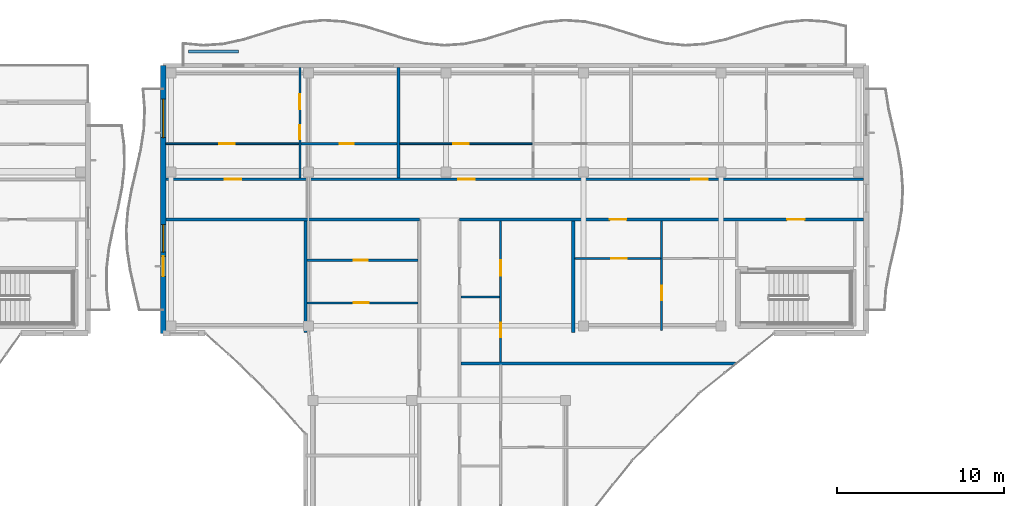
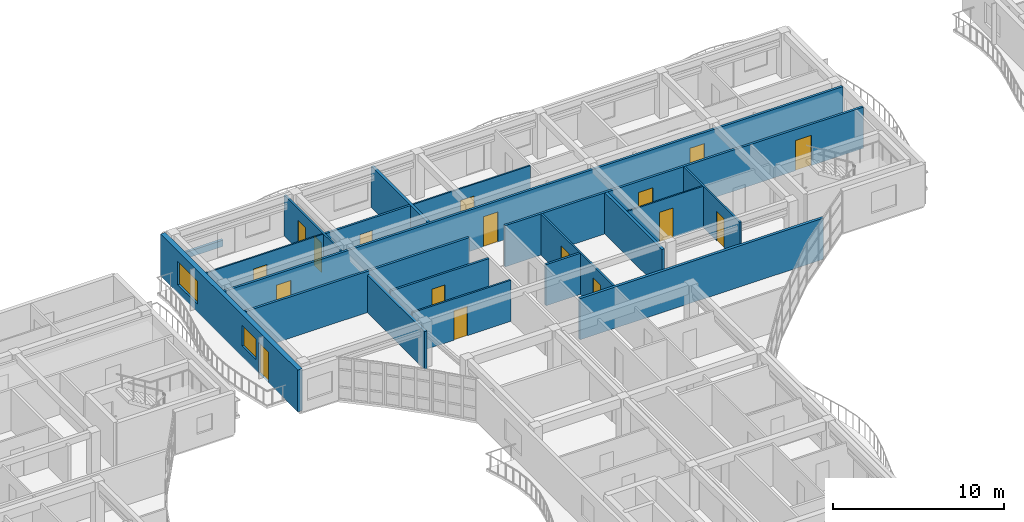
# One storey, part 35 of 71: 19 walls, 17 doors, 2 windows, 19 openings.
"""IFC4 building model written with IfcOpenShell, lengths in metres."""

import ifcopenshell
import ifcopenshell.guid

model = None  # the IFC model being written
_history = None  # IfcOwnerHistory: only IFC2X3 demands one
_inside = {}  # id of a spatial element -> (the spatial element, [elements in it])
_under = {}  # id of a project, library or spatial element -> (it, [spatial elements below it])
_declared = {}  # id of a project -> (the project, [libraries it declares])
_typed = {}  # id of a type object -> (the type object, [elements of that type])
_made_of = {}  # id of a material, layer set ... -> (it, [elements and type objects made of it])


def new_model(schema):
    """Start an empty IFC model of exactly this schema.

    Asked for "IFC4X3", IfcOpenShell would pick the latest addendum, in which some entities
    have other attributes; the version numbers below select the first issue.
    IFC2X3 requires an IfcOwnerHistory on every rooted entity: one is made here for all.
    """
    global model, _history
    if schema == "IFC4X3":
        model = ifcopenshell.file(schema_version=(4, 3, 0, 0))
    else:
        model = ifcopenshell.file(schema=schema)
    _inside.clear()
    _under.clear()
    _declared.clear()
    _typed.clear()
    _made_of.clear()
    _history = None
    if model.schema == "IFC2X3":
        org = make("IfcOrganization", Name="unknown")
        user = make(
            "IfcPersonAndOrganization",
            ThePerson=make("IfcPerson", FamilyName="unknown"),
            TheOrganization=org,
        )
        app = make(
            "IfcApplication",
            ApplicationDeveloper=org,
            Version="unknown",
            ApplicationFullName="unknown",
            ApplicationIdentifier="unknown",
        )
        _history = make(
            "IfcOwnerHistory",
            OwningUser=user,
            OwningApplication=app,
            ChangeAction="ADDED",
            CreationDate=0,
        )
    return model


def make(cls, **values):
    """One entity of the class cls with the attributes given. An attribute that is None is left unset."""
    return model.create_entity(
        cls, **{name: value for name, value in values.items() if value is not None}
    )


def rooted(cls, **values):
    """An entity with a GlobalId (a new one), such as an element, a storey or a relation."""
    return make(cls, GlobalId=ifcopenshell.guid.new(), OwnerHistory=_history, **values)


def si_unit(unit_type, name, prefix=None):
    """IfcSIUnit, for example si_unit("LENGTHUNIT", "METRE", prefix="MILLI")."""
    return make("IfcSIUnit", UnitType=unit_type, Prefix=prefix, Name=name)


def assignment(units):
    """IfcUnitAssignment: the units of a project."""
    return None if units is None else make("IfcUnitAssignment", Units=units)


def point(xyz):
    """IfcCartesianPoint."""
    return None if xyz is None else make("IfcCartesianPoint", Coordinates=xyz)


def direction(xyz):
    """IfcDirection."""
    return None if xyz is None else make("IfcDirection", DirectionRatios=xyz)


def frame(location, z_axis=None, x_axis=None):
    """IfcAxis2Placement3D, a coordinate frame: its origin and axes. An axis left out is left unset."""
    return make(
        "IfcAxis2Placement3D",
        Location=point(location),
        Axis=direction(z_axis),
        RefDirection=direction(x_axis),
    )


def frame_2d(location, x_axis=None):
    """IfcAxis2Placement2D, a coordinate frame in the plane: its origin and x axis."""
    return make(
        "IfcAxis2Placement2D", Location=point(location), RefDirection=direction(x_axis)
    )


def origin():
    """The frame at (0, 0, 0) with its axes left unset."""
    return frame((0.0, 0.0, 0.0))


def place(relative_to, where):
    """IfcLocalPlacement: puts the frame where relative to a parent placement (None: the world)."""
    return make(
        "IfcLocalPlacement", PlacementRelTo=relative_to, RelativePlacement=where
    )


def context(
    kind, dimensions, precision=None, world=None, true_north=None, identifier=None
):
    """IfcGeometricRepresentationContext, for example the 3D "Model" context."""
    return make(
        "IfcGeometricRepresentationContext",
        ContextIdentifier=identifier,
        ContextType=kind,
        CoordinateSpaceDimension=dimensions,
        Precision=precision,
        WorldCoordinateSystem=world,
        TrueNorth=true_north,
    )


def subcontext(parent, identifier, kind, view, scale=None):
    """IfcGeometricRepresentationSubContext, for example "Body" below "Model"."""
    return make(
        "IfcGeometricRepresentationSubContext",
        ContextIdentifier=identifier,
        ContextType=kind,
        ParentContext=parent,
        TargetScale=scale,
        TargetView=view,
    )


def project(units=None, contexts=None):
    """IfcProject with its units and contexts."""
    return rooted(
        "IfcProject",
        Name="project",
        RepresentationContexts=contexts,
        UnitsInContext=assignment(units),
    )


def spatial(cls, under=None, at=None, **own):
    """A site, building, storey or space (cls), placed at a placement, below another one or the project."""
    s = rooted(cls, ObjectPlacement=at, **own)
    if under is not None:
        _under.setdefault(under.id(), (under, []))[1].append(s)
    return s


def profile(cls, at=None, kind="AREA", **sizes):
    """A parametric profile (cls). Its sizes go by their IFC names, for example OverallWidth=200.0."""
    return make(cls, ProfileType=kind, Position=at, **sizes)


def rectangle(**sizes):
    """IfcRectangleProfileDef."""
    return profile("IfcRectangleProfileDef", **sizes)


def extrude(swept, where, along, depth):
    """IfcExtrudedAreaSolid: the profile swept, set in the frame where, extruded along a direction by depth."""
    return make(
        "IfcExtrudedAreaSolid",
        SweptArea=swept,
        Position=where,
        ExtrudedDirection=direction(along),
        Depth=depth,
    )


def shape(context_of_items, identifier, shape_type, items):
    """IfcShapeRepresentation: the items that make up one representation, for example the "Body"."""
    return make(
        "IfcShapeRepresentation",
        ContextOfItems=context_of_items,
        RepresentationIdentifier=identifier,
        RepresentationType=shape_type,
        Items=items,
    )


def material(Name=None, Category=None):
    """IfcMaterial."""
    return make("IfcMaterial", Name=Name, Category=Category)


def layer(
    of_material, thickness, ventilated=None, Name=None, Category=None, Priority=None
):
    """IfcMaterialLayer: one layer of a wall or slab, of a material (None: an air gap)."""
    return make(
        "IfcMaterialLayer",
        Material=of_material,
        LayerThickness=thickness,
        IsVentilated=ventilated,
        Name=Name,
        Category=Category,
        Priority=Priority,
    )


def layer_set(layers, Name=None):
    """IfcMaterialLayerSet."""
    return make("IfcMaterialLayerSet", MaterialLayers=layers, LayerSetName=Name)


def made_of(thing, what):
    """Note that an element or type object is made of a material, layer set ...; save() writes the relation."""
    if what is not None:
        _made_of.setdefault(what.id(), (what, []))[1].append(thing)
    return thing


def type_object(cls, material=None, **own):
    """A type object (cls), such as IfcWallType, which elements share."""
    return made_of(rooted(cls, **own), material)


def element(
    cls,
    number,
    at=None,
    inside=None,
    cuts=None,
    type_object=None,
    material=None,
    context=None,
    identifier="Body",
    shape_type=None,
    held_by="IfcProductDefinitionShape",
    body=None,
    shapes=None,
    **own,
):
    """One element of the class cls, such as IfcWall. Its Tag is "e" and its number.

    at: its placement. inside: the storey or other place that contains it. cuts: it is an
    opening in that element (IfcRelVoidsElement). A single representation is given by context,
    identifier, shape_type and body (its items); several are given by shapes. held_by: the class
    of the entity that holds the representations. save() writes the other relations.
    """
    e = rooted(cls, Tag="e%d" % number, ObjectPlacement=at, **own)
    if body is not None:
        shapes = [shape(context, identifier, shape_type, body)]
    if shapes is not None:
        e.Representation = make(held_by, Representations=shapes)
    if inside is not None:
        _inside.setdefault(inside.id(), (inside, []))[1].append(e)
    if cuts is not None:
        rooted(
            "IfcRelVoidsElement", RelatingBuildingElement=cuts, RelatedOpeningElement=e
        )
    if type_object is not None:
        _typed.setdefault(type_object.id(), (type_object, []))[1].append(e)
    return made_of(e, material)


def fill(opening, filler):
    """IfcRelFillsElement: the door or window that sits in an opening."""
    return rooted(
        "IfcRelFillsElement",
        RelatingOpeningElement=opening,
        RelatedBuildingElement=filler,
    )


def aggregate(whole, parts):
    """IfcRelAggregates: a whole, such as a stair, and the parts it consists of."""
    return rooted("IfcRelAggregates", RelatingObject=whole, RelatedObjects=parts)


def save(model, path):
    """Write the relations noted so far, then the file.

    IfcRelAggregates (storeys below a building ...), IfcRelContainedInSpatialStructure (elements
    in a storey), IfcRelDefinesByType, IfcRelAssociatesMaterial and IfcRelDeclares: one each for
    every whole, place, type object, material and project.
    """
    for whole, parts in _under.values():
        aggregate(whole, parts)
    for where, things in _inside.values():
        rooted(
            "IfcRelContainedInSpatialStructure",
            RelatedElements=things,
            RelatingStructure=where,
        )
    for kind, things in _typed.values():
        rooted("IfcRelDefinesByType", RelatedObjects=things, RelatingType=kind)
    for what, things in _made_of.values():
        rooted("IfcRelAssociatesMaterial", RelatedObjects=things, RelatingMaterial=what)
    for by, libraries in _declared.values():
        rooted("IfcRelDeclares", RelatingContext=by, RelatedDefinitions=libraries)
    model.write(path)


model = new_model("IFC4")

# Units and contexts
model_context = context("Model", 3, precision=1e-05, world=origin(), true_north=direction((0.0, 1.0)))
body_context = subcontext(model_context, "Body", "Model", "MODEL_VIEW")
ifc_project = project(units=[si_unit("LENGTHUNIT", "METRE"), si_unit("AREAUNIT", "SQUARE_METRE"), si_unit("VOLUMEUNIT", "CUBIC_METRE"), si_unit("PLANEANGLEUNIT", "RADIAN"), si_unit("MASSUNIT", "GRAM", prefix="KILO")], contexts=[model_context])

# Site, building, storey
site_placement = place(None, origin())
site = spatial("IfcSite", under=ifc_project, at=site_placement, CompositionType="ELEMENT")
building_placement = place(site_placement, origin())
building = spatial("IfcBuilding", under=site, at=building_placement, Name="Keldmere Railside Commons", CompositionType="ELEMENT")
storey_placement = place(building_placement, frame((0.0, 0.0, 20.159912109375)))
storey = spatial("IfcBuildingStorey", under=building, at=storey_placement, Name="L06", CompositionType="ELEMENT", Elevation=20.159912109375)

# Walls
ifc_material_1 = material(Name="Acoustic Gypsum Board Partition", Category="gypsum")
ifc_layer_1 = layer(ifc_material_1, 0.179931640625, Name="Acoustic Demising Partition 180")
ifc_layer_set_1 = layer_set([ifc_layer_1], Name="Acoustic Gypsum Board Partition")
wall_type_1 = type_object("IfcWallType", Name="Acoustic Demising Partition 180", PredefinedType="PARTITIONING", material=ifc_layer_set_1)
wall_1_placement = place(storey_placement, frame((64.0, 100.050048828125, 0.0), z_axis=(0.0, 0.0, 1.0), x_axis=(0.0, 1.0, 0.0)))
element("IfcWall", 1, at=wall_1_placement, inside=storey, type_object=wall_type_1, Name="IW-1 IW-L06-0730", PredefinedType="PARTITIONING", context=body_context, shape_type="SweptSolid", body=[
    extrude(rectangle(XDim=6.669921875, YDim=0.179931640625, at=frame_2d((3.3349609375, 0.0))), origin(), (0.0, 0.0, 1.0), 2.93505859375),
])
wall_2_placement = place(storey_placement, frame((48.0, 100.050048828125, 0.0), z_axis=(0.0, 0.0, 1.0), x_axis=(0.0, 1.0, 0.0)))
element("IfcWall", 2, at=wall_2_placement, inside=storey, type_object=wall_type_1, Name="IW-1 IW-L06-0731", PredefinedType="PARTITIONING", context=body_context, shape_type="SweptSolid", body=[
    extrude(rectangle(XDim=6.669921875, YDim=0.179931640625, at=frame_2d((3.3349609375, 0.0))), origin(), (0.0, 0.0, 1.0), 2.68017578125),
])
wall_3_placement = place(storey_placement, frame((57.280029296875, 98.199951171875, 0.0), z_axis=(0.0, 0.0, 1.0), x_axis=(1.0, 0.0, 0.0)))
element("IfcWall", 3, at=wall_3_placement, inside=storey, type_object=wall_type_1, Name="IW-1 IW-L06-0736", PredefinedType="PARTITIONING", context=body_context, shape_type="SweptSolid", body=[
    extrude(rectangle(XDim=16.412353515625, YDim=0.179931640625, at=frame_2d((8.2060546875, 0.0))), origin(), (0.0, 0.0, 1.0), 2.93505859375),
])
wall_4_placement = place(storey_placement, frame((53.550048828125, 109.280029296875, 0.0), z_axis=(0.0, 0.0, 1.0), x_axis=(0.0, 1.0, 0.0)))
element("IfcWall", 4, at=wall_4_placement, inside=storey, type_object=wall_type_1, Name="IW-1 IW-L06-0750", PredefinedType="PARTITIONING", context=body_context, shape_type="SweptSolid", body=[
    extrude(rectangle(XDim=6.599853515625, YDim=0.179931640625, at=frame_2d((3.2998046875, 0.0))), origin(), (0.0, 0.0, 1.0), 2.93505859375),
])

# Wall, openings, doors
ifc_layer_2 = layer(ifc_material_1, 0.1201171875, Name="Apartment Interior Partition 120")
ifc_layer_set_2 = layer_set([ifc_layer_2], Name="Acoustic Gypsum Board Partition")
wall_type_2 = type_object("IfcWallType", Name="Apartment Interior Partition 120", PredefinedType="PARTITIONING", material=ifc_layer_set_2)
wall_5_placement = place(storey_placement, frame((59.659912109375, 98.2900390625, 0.0), z_axis=(0.0, 0.0, 1.0), x_axis=(0.0, 1.0, 0.0)))
wall_5 = element("IfcWall", 5, at=wall_5_placement, inside=storey, type_object=wall_type_2, Name="IW-4 IW-L06-0748", PredefinedType="PARTITIONING", context=body_context, shape_type="SweptSolid", body=[
    extrude(rectangle(XDim=8.429931640625, YDim=0.1201171875, at=frame_2d((4.21484375, 0.0))), origin(), (0.0, 0.0, 1.0), 2.93505859375),
])
opening_1_placement = place(wall_5_placement, frame((1.474365234375, 0.0, 0.0)))
opening_1 = element("IfcOpeningElement", 6, at=opening_1_placement, cuts=wall_5, Name="Opening ID-04", PredefinedType="OPENING", context=body_context, shape_type="SweptSolid", body=[
    extrude(rectangle(XDim=0.860107421875, YDim=2.10009765625, at=frame_2d((0.43017578125, 1.050048828125))), frame((0.0, 0.070068359375, 0.0), z_axis=(0.0, -1.0, 0.0), x_axis=(1.0, 0.0, 0.0)), (0.0, 0.0, 1.0), 0.14013671875),
])
opening_2_placement = place(wall_5_placement, frame((5.154052734375, 0.0, 0.0)))
opening_2 = element("IfcOpeningElement", 7, at=opening_2_placement, cuts=wall_5, Name="Opening ID-03", PredefinedType="OPENING", context=body_context, shape_type="SweptSolid", body=[
    extrude(rectangle(XDim=0.919921875, YDim=2.10009765625, at=frame_2d((0.4599609375, 1.050048828125))), frame((0.0, 0.070068359375, 0.0), z_axis=(0.0, -1.0, 0.0), x_axis=(1.0, 0.0, 0.0)), (0.0, 0.0, 1.0), 0.14013671875),
])
ifc_material_2 = material(Name="Engineered Oak Timber", Category="wood")
door_type_1 = type_object("IfcDoorType", Name="Apartment Bathroom Door 860x2100", OperationType="NOTDEFINED", PredefinedType="DOOR", material=ifc_material_2)
door_1_placement = place(opening_1_placement, origin())
door_1 = element("IfcDoor", 8, at=door_1_placement, inside=storey, type_object=door_type_1, Name="ID-04 IDR-L06-0631", OperationType="SINGLE_SWING_LEFT", OverallHeight=2.10009765625, OverallWidth=0.860107421875, PredefinedType="DOOR", context=body_context, shape_type="SweptSolid", body=[
    extrude(rectangle(XDim=0.860107421875, YDim=2.10009765625, at=frame_2d((0.43017578125, 1.050048828125))), frame((0.0, 0.02490234375, 0.0), z_axis=(0.0, -1.0, 0.0), x_axis=(1.0, 0.0, 0.0)), (0.0, 0.0, 1.0), 0.050048828125),
])
fill(opening_1, door_1)
door_type_2 = type_object("IfcDoorType", Name="Kitchen Pocket-Frame Swing Door 920x2100", OperationType="NOTDEFINED", PredefinedType="DOOR", material=ifc_material_2)
door_2_placement = place(opening_2_placement, origin())
door_2 = element("IfcDoor", 9, at=door_2_placement, inside=storey, type_object=door_type_2, Name="ID-03 IDR-L06-0632", OperationType="SINGLE_SWING_RIGHT", OverallHeight=2.10009765625, OverallWidth=0.919921875, PredefinedType="DOOR", context=body_context, shape_type="SweptSolid", body=[
    extrude(rectangle(XDim=0.919921875, YDim=2.10009765625, at=frame_2d((0.4599609375, 1.050048828125))), frame((0.0, 0.02490234375, 0.0), z_axis=(0.0, -1.0, 0.0), x_axis=(1.0, 0.0, 0.0)), (0.0, 0.0, 1.0), 0.050048828125),
])
fill(opening_2, door_2)

wall_6_placement = place(storey_placement, frame((47.659912109375, 109.280029296875, 0.0), z_axis=(0.0, 0.0, 1.0), x_axis=(0.0, 1.0, 0.0)))
wall_6 = element("IfcWall", 10, at=wall_6_placement, inside=storey, type_object=wall_type_2, Name="IW-4 IW-L06-0752", PredefinedType="PARTITIONING", context=body_context, shape_type="SweptSolid", body=[
    extrude(rectangle(XDim=6.599853515625, YDim=0.1201171875, at=frame_2d((3.2998046875, 0.0))), origin(), (0.0, 0.0, 1.0), 2.93505859375),
])
opening_3_placement = place(wall_6_placement, frame((2.305908203125, 0.0, 0.0)))
opening_3 = element("IfcOpeningElement", 11, at=opening_3_placement, cuts=wall_6, Name="Opening ID-04", PredefinedType="OPENING", context=body_context, shape_type="SweptSolid", body=[
    extrude(rectangle(XDim=0.860107421875, YDim=2.10009765625, at=frame_2d((0.43017578125, 1.050048828125))), frame((0.0, 0.070068359375, 0.0), z_axis=(0.0, -1.0, 0.0), x_axis=(1.0, 0.0, 0.0)), (0.0, 0.0, 1.0), 0.14013671875),
])
opening_4_placement = place(wall_6_placement, frame((4.097412109375, 0.0, 0.0)))
opening_4 = element("IfcOpeningElement", 12, at=opening_4_placement, cuts=wall_6, Name="Opening ID-01", PredefinedType="OPENING", context=body_context, shape_type="SweptSolid", body=[
    extrude(rectangle(XDim=0.89990234375, YDim=2.10009765625, at=frame_2d((0.449951171875, 1.050048828125))), frame((0.0, 0.070068359375, 0.0), z_axis=(0.0, -1.0, 0.0), x_axis=(1.0, 0.0, 0.0)), (0.0, 0.0, 1.0), 0.14013671875),
])
door_3_placement = place(opening_3_placement, origin())
door_3 = element("IfcDoor", 13, at=door_3_placement, inside=storey, type_object=door_type_1, Name="ID-04 IDR-L06-0636", OperationType="SINGLE_SWING_RIGHT", OverallHeight=2.10009765625, OverallWidth=0.860107421875, PredefinedType="DOOR", context=body_context, shape_type="SweptSolid", body=[
    extrude(rectangle(XDim=0.860107421875, YDim=2.10009765625, at=frame_2d((0.43017578125, 1.050048828125))), frame((0.0, 0.02490234375, 0.0), z_axis=(0.0, -1.0, 0.0), x_axis=(1.0, 0.0, 0.0)), (0.0, 0.0, 1.0), 0.050048828125),
])
fill(opening_3, door_3)
door_type_3 = type_object("IfcDoorType", Name="Primary Bedroom Door 900x2100", OperationType="NOTDEFINED", PredefinedType="DOOR", material=ifc_material_2)
door_4_placement = place(opening_4_placement, origin())
door_4 = element("IfcDoor", 14, at=door_4_placement, inside=storey, type_object=door_type_3, Name="ID-01 IDR-L06-0637", OperationType="SINGLE_SWING_LEFT", OverallHeight=2.10009765625, OverallWidth=0.89990234375, PredefinedType="DOOR", context=body_context, shape_type="SweptSolid", body=[
    extrude(rectangle(XDim=0.89990234375, YDim=2.10009765625, at=frame_2d((0.449951171875, 1.050048828125))), frame((0.0, 0.02490234375, 0.0), z_axis=(0.0, -1.0, 0.0), x_axis=(1.0, 0.0, 0.0)), (0.0, 0.0, 1.0), 0.050048828125),
])
fill(opening_4, door_4)

# Wall, opening, door
wall_7_placement = place(storey_placement, frame((69.280029296875, 100.159912109375, 0.0), z_axis=(0.0, 0.0, 1.0), x_axis=(0.0, 1.0, 0.0)))
wall_7 = element("IfcWall", 15, at=wall_7_placement, inside=storey, type_object=wall_type_2, Name="IW-4 IW-L06-0761", PredefinedType="PARTITIONING", context=body_context, shape_type="SweptSolid", body=[
    extrude(rectangle(XDim=6.56005859375, YDim=0.1201171875, at=frame_2d((3.280029296875, 0.0))), origin(), (0.0, 0.0, 1.0), 2.93505859375),
])
opening_5_placement = place(wall_7_placement, frame((1.810302734375, 0.0, 0.0)))
opening_5 = element("IfcOpeningElement", 16, at=opening_5_placement, cuts=wall_7, Name="Opening ID-02", PredefinedType="OPENING", context=body_context, shape_type="SweptSolid", body=[
    extrude(rectangle(XDim=0.8798828125, YDim=2.10009765625, at=frame_2d((0.43994140625, 1.050048828125))), frame((0.0, 0.070068359375, 0.0), z_axis=(0.0, -1.0, 0.0), x_axis=(1.0, 0.0, 0.0)), (0.0, 0.0, 1.0), 0.14013671875),
])
door_type_4 = type_object("IfcDoorType", Name="Secondary Bedroom Door 880x2100", OperationType="NOTDEFINED", PredefinedType="DOOR", material=ifc_material_2)
door_5_placement = place(opening_5_placement, origin())
door_5 = element("IfcDoor", 17, at=door_5_placement, inside=storey, type_object=door_type_4, Name="ID-02 IDR-L06-0651", OperationType="SINGLE_SWING_LEFT", OverallHeight=2.10009765625, OverallWidth=0.8798828125, PredefinedType="DOOR", context=body_context, shape_type="SweptSolid", body=[
    extrude(rectangle(XDim=0.8798828125, YDim=2.10009765625, at=frame_2d((0.43994140625, 1.050048828125))), frame((0.0, 0.02490234375, 0.0), z_axis=(0.0, -1.0, 0.0), x_axis=(1.0, 0.0, 0.0)), (0.0, 0.0, 1.0), 0.050048828125),
])
fill(opening_5, door_5)

wall_8_placement = place(storey_placement, frame((48.090087890625, 101.820068359375, 0.0), z_axis=(0.0, 0.0, 1.0), x_axis=(1.0, 0.0, 0.0)))
wall_8 = element("IfcWall", 18, at=wall_8_placement, inside=storey, type_object=wall_type_2, Name="IW-4 IW-L06-0767", PredefinedType="PARTITIONING", context=body_context, shape_type="SweptSolid", body=[
    extrude(rectangle(XDim=6.6298828125, YDim=0.1201171875, at=frame_2d((3.31494140625, 0.0))), origin(), (0.0, 0.0, 1.0), 2.93505859375),
])
opening_6_placement = place(wall_8_placement, frame((2.78466796875, 0.0, 0.0)))
opening_6 = element("IfcOpeningElement", 19, at=opening_6_placement, cuts=wall_8, Name="Opening ID-03", PredefinedType="OPENING", context=body_context, shape_type="SweptSolid", body=[
    extrude(rectangle(XDim=0.919921875, YDim=2.10009765625, at=frame_2d((0.4599609375, 1.050048828125))), frame((0.0, 0.070068359375, 0.0), z_axis=(0.0, -1.0, 0.0), x_axis=(1.0, 0.0, 0.0)), (0.0, 0.0, 1.0), 0.14013671875),
])
door_6_placement = place(opening_6_placement, origin())
door_6 = element("IfcDoor", 20, at=door_6_placement, inside=storey, type_object=door_type_2, Name="ID-03 IDR-L06-0658", OperationType="SINGLE_SWING_RIGHT", OverallHeight=2.10009765625, OverallWidth=0.919921875, PredefinedType="DOOR", context=body_context, shape_type="SweptSolid", body=[
    extrude(rectangle(XDim=0.919921875, YDim=2.10009765625, at=frame_2d((0.4599609375, 1.050048828125))), frame((0.0, 0.02490234375, 0.0), z_axis=(0.0, -1.0, 0.0), x_axis=(1.0, 0.0, 0.0)), (0.0, 0.0, 1.0), 0.050048828125),
])
fill(opening_6, door_6)

# Wall
ifc_material_3 = material(Name="White Precast Concrete H-35 (C35/45)", Category="concrete")
ifc_layer_3 = layer(ifc_material_3, 0.169921875, Name="Balcony Planter Kerb Wall 170")
ifc_layer_set_3 = layer_set([ifc_layer_3], Name="White Precast Concrete H-35 (C35/45)")
wall_type_3 = type_object("IfcWallType", Name="Balcony Planter Kerb Wall 170", PredefinedType="PARAPET", material=ifc_layer_set_3)
wall_9_placement = place(storey_placement, frame((41.0, 116.85009765625, 0.0), z_axis=(0.0, 0.0, 1.0), x_axis=(1.0, 0.0, 0.0)))
element("IfcWall", 21, at=wall_9_placement, inside=storey, type_object=wall_type_3, Name="PW-2 PKBC-L06-0379", PredefinedType="PARAPET", context=body_context, shape_type="SweptSolid", body=[
    extrude(rectangle(XDim=3.0, YDim=0.169921875, at=frame_2d((1.5, 0.0))), origin(), (0.0, 0.0, 1.0), 0.4501953125),
])

# Wall, opening, door
ifc_layer_4 = layer(ifc_material_1, 0.10009765625, Name="Closet Light Partition 100")
ifc_layer_set_4 = layer_set([ifc_layer_4], Name="Acoustic Gypsum Board Partition")
wall_type_4 = type_object("IfcWallType", Name="Closet Light Partition 100", PredefinedType="PARTITIONING", material=ifc_layer_set_4)
wall_10_placement = place(storey_placement, frame((39.659912109375, 111.330078125, 0.0), z_axis=(0.0, 0.0, 1.0), x_axis=(1.0, 0.0, 0.0)))
wall_10 = element("IfcWall", 22, at=wall_10_placement, inside=storey, type_object=wall_type_4, Name="IW-6 IW-L06-0754", PredefinedType="PARTITIONING", context=body_context, shape_type="SweptSolid", body=[
    extrude(rectangle(XDim=7.940185546875, YDim=0.10009765625, at=frame_2d((3.97021484375, 0.0))), origin(), (0.0, 0.0, 1.0), 2.93505859375),
])
opening_7_placement = place(wall_10_placement, frame((3.199951171875, 0.0, 0.0)))
opening_7 = element("IfcOpeningElement", 23, at=opening_7_placement, cuts=wall_10, Name="Opening ID-03", PredefinedType="OPENING", context=body_context, shape_type="SweptSolid", body=[
    extrude(rectangle(XDim=0.919921875, YDim=2.10009765625, at=frame_2d((0.4599609375, 1.050048828125))), frame((0.0, 0.06005859375, 0.0), z_axis=(0.0, -1.0, 0.0), x_axis=(1.0, 0.0, 0.0)), (0.0, 0.0, 1.0), 0.1201171875),
])
door_7_placement = place(opening_7_placement, origin())
door_7 = element("IfcDoor", 24, at=door_7_placement, inside=storey, type_object=door_type_2, Name="ID-03 IDR-L06-0635", OperationType="SINGLE_SWING_LEFT", OverallHeight=2.10009765625, OverallWidth=0.919921875, PredefinedType="DOOR", context=body_context, shape_type="SweptSolid", body=[
    extrude(rectangle(XDim=0.919921875, YDim=2.10009765625, at=frame_2d((0.4599609375, 1.050048828125))), frame((0.0, 0.02490234375, 0.0), z_axis=(0.0, -1.0, 0.0), x_axis=(1.0, 0.0, 0.0)), (0.0, 0.0, 1.0), 0.050048828125),
])
fill(opening_7, door_7)

wall_11_placement = place(storey_placement, frame((53.639892578125, 111.330078125, 0.0), z_axis=(0.0, 0.0, 1.0), x_axis=(1.0, 0.0, 0.0)))
wall_11 = element("IfcWall", 25, at=wall_11_placement, inside=storey, type_object=wall_type_4, Name="IW-6 IW-L06-0757", PredefinedType="PARTITIONING", context=body_context, shape_type="SweptSolid", body=[
    extrude(rectangle(XDim=7.900146484375, YDim=0.10009765625, at=frame_2d((3.9501953125, 0.0))), origin(), (0.0, 0.0, 1.0), 2.93505859375),
])
opening_8_placement = place(wall_11_placement, frame((3.18408203125, 0.0, 0.0)))
opening_8 = element("IfcOpeningElement", 26, at=opening_8_placement, cuts=wall_11, Name="Opening ID-03", PredefinedType="OPENING", context=body_context, shape_type="SweptSolid", body=[
    extrude(rectangle(XDim=0.919921875, YDim=2.10009765625, at=frame_2d((0.4599609375, 1.050048828125))), frame((0.0, 0.06005859375, 0.0), z_axis=(0.0, -1.0, 0.0), x_axis=(1.0, 0.0, 0.0)), (0.0, 0.0, 1.0), 0.1201171875),
])
door_8_placement = place(opening_8_placement, origin())
door_8 = element("IfcDoor", 27, at=door_8_placement, inside=storey, type_object=door_type_2, Name="ID-03 IDR-L06-0640", OperationType="SINGLE_SWING_RIGHT", OverallHeight=2.10009765625, OverallWidth=0.919921875, PredefinedType="DOOR", context=body_context, shape_type="SweptSolid", body=[
    extrude(rectangle(XDim=0.919921875, YDim=2.10009765625, at=frame_2d((0.4599609375, 1.050048828125))), frame((0.0, 0.02490234375, 0.0), z_axis=(0.0, -1.0, 0.0), x_axis=(1.0, 0.0, 0.0)), (0.0, 0.0, 1.0), 0.050048828125),
])
fill(opening_8, door_8)

wall_12_placement = place(storey_placement, frame((64.090087890625, 104.469970703125, 0.0), z_axis=(0.0, 0.0, 1.0), x_axis=(1.0, 0.0, 0.0)))
wall_12 = element("IfcWall", 28, at=wall_12_placement, inside=storey, type_object=wall_type_4, Name="IW-6 IW-L06-0763", PredefinedType="PARTITIONING", context=body_context, shape_type="SweptSolid", body=[
    extrude(rectangle(XDim=5.1298828125, YDim=0.10009765625, at=frame_2d((2.56494140625, 0.0))), origin(), (0.0, 0.0, 1.0), 2.93505859375),
])
opening_9_placement = place(wall_12_placement, frame((2.1796875, 0.0, 0.0)))
opening_9 = element("IfcOpeningElement", 29, at=opening_9_placement, cuts=wall_12, Name="Opening ID-03", PredefinedType="OPENING", context=body_context, shape_type="SweptSolid", body=[
    extrude(rectangle(XDim=0.919921875, YDim=2.10009765625, at=frame_2d((0.4599609375, 1.050048828125))), frame((0.0, 0.06005859375, 0.0), z_axis=(0.0, -1.0, 0.0), x_axis=(1.0, 0.0, 0.0)), (0.0, 0.0, 1.0), 0.1201171875),
])
door_9_placement = place(opening_9_placement, origin())
door_9 = element("IfcDoor", 30, at=door_9_placement, inside=storey, type_object=door_type_2, Name="ID-03 IDR-L06-0650", OperationType="SINGLE_SWING_RIGHT", OverallHeight=2.10009765625, OverallWidth=0.919921875, PredefinedType="DOOR", context=body_context, shape_type="SweptSolid", body=[
    extrude(rectangle(XDim=0.919921875, YDim=2.10009765625, at=frame_2d((0.4599609375, 1.050048828125))), frame((0.0, 0.02490234375, 0.0), z_axis=(0.0, -1.0, 0.0), x_axis=(1.0, 0.0, 0.0)), (0.0, 0.0, 1.0), 0.050048828125),
])
fill(opening_9, door_9)

# Wall
ifc_layer_5 = layer(ifc_material_1, 0.159912109375, Name="Corridor Fire Partition 160")
ifc_layer_set_5 = layer_set([ifc_layer_5], Name="Acoustic Gypsum Board Partition")
wall_type_5 = type_object("IfcWallType", Name="Corridor Fire Partition 160", PredefinedType="PARTITIONING", material=ifc_layer_set_5)
wall_13_placement = place(storey_placement, frame((39.659912109375, 106.800048828125, 0.0), z_axis=(0.0, 0.0, 1.0), x_axis=(1.0, 0.0, 0.0)))
element("IfcWall", 31, at=wall_13_placement, inside=storey, type_object=wall_type_5, Name="IW-2 IW-L06-0727", PredefinedType="PARTITIONING", context=body_context, shape_type="SweptSolid", body=[
    extrude(rectangle(XDim=15.14013671875, YDim=0.159912109375, at=frame_2d((7.570068359375, 0.0))), origin(), (0.0, 0.0, 1.0), 2.93505859375),
])

# Wall, openings, doors
wall_14_placement = place(storey_placement, frame((57.199951171875, 106.800048828125, 0.0), z_axis=(0.0, 0.0, 1.0), x_axis=(1.0, 0.0, 0.0)))
wall_14 = element("IfcWall", 32, at=wall_14_placement, inside=storey, type_object=wall_type_5, Name="IW-2 IW-L06-0728", PredefinedType="PARTITIONING", context=body_context, shape_type="SweptSolid", body=[
    extrude(rectangle(XDim=24.14013671875, YDim=0.159912109375, at=frame_2d((12.070068359375, 0.0))), origin(), (0.0, 0.0, 1.0), 2.93505859375),
])
opening_10_placement = place(wall_14_placement, frame((19.574951171875, 0.0, 0.0)))
opening_10 = element("IfcOpeningElement", 33, at=opening_10_placement, cuts=wall_14, Name="Opening FD-1", PredefinedType="OPENING", context=body_context, shape_type="SweptSolid", body=[
    extrude(rectangle(XDim=1.050048828125, YDim=2.14990234375, at=frame_2d((0.52490234375, 1.074951171875))), frame((0.0, 0.08984375, 0.0), z_axis=(0.0, -1.0, 0.0), x_axis=(1.0, 0.0, 0.0)), (0.0, 0.0, 1.0), 0.179931640625),
])
opening_11_placement = place(wall_14_placement, frame((8.9951171875, 0.0, 0.0)))
opening_11 = element("IfcOpeningElement", 34, at=opening_11_placement, cuts=wall_14, Name="Opening FD-7", PredefinedType="OPENING", context=body_context, shape_type="SweptSolid", body=[
    extrude(rectangle(XDim=0.97998046875, YDim=2.14990234375, at=frame_2d((0.489990234375, 1.074951171875))), frame((0.0, 0.08984375, 0.0), z_axis=(0.0, -1.0, 0.0), x_axis=(1.0, 0.0, 0.0)), (0.0, 0.0, 1.0), 0.179931640625),
])
door_type_5 = type_object("IfcDoorType", Name="Apartment Entrance Acoustic Fire Door 980x2150", OperationType="NOTDEFINED", PredefinedType="DOOR", material=ifc_material_2)
door_10_placement = place(opening_11_placement, origin())
door_10 = element("IfcDoor", 35, at=door_10_placement, inside=storey, type_object=door_type_5, Name="FD-7 IDR-L06-0649", OperationType="SINGLE_SWING_LEFT", OverallHeight=2.14990234375, OverallWidth=0.97998046875, PredefinedType="DOOR", context=body_context, shape_type="SweptSolid", body=[
    extrude(rectangle(XDim=0.97998046875, YDim=2.14990234375, at=frame_2d((0.489990234375, 1.074951171875))), frame((0.0, 0.02490234375, 0.0), z_axis=(0.0, -1.0, 0.0), x_axis=(1.0, 0.0, 0.0)), (0.0, 0.0, 1.0), 0.050048828125),
])
fill(opening_11, door_10)
ifc_material_4 = material(Name="Steel F-24 (S235)", Category="steel")
door_type_6 = type_object("IfcDoorType", Name="Stair Core Fire Door 1050x2150", OperationType="NOTDEFINED", PredefinedType="DOOR", material=ifc_material_4)
door_11_placement = place(opening_10_placement, origin())
door_11 = element("IfcDoor", 36, at=door_11_placement, inside=storey, type_object=door_type_6, Name="FD-1 IDR-L06-0614", OperationType="SINGLE_SWING_RIGHT", OverallHeight=2.14990234375, OverallWidth=1.050048828125, PredefinedType="DOOR", context=body_context, shape_type="SweptSolid", body=[
    extrude(rectangle(XDim=1.050048828125, YDim=2.14990234375, at=frame_2d((0.52490234375, 1.074951171875))), frame((0.0, 0.02490234375, 0.0), z_axis=(0.0, -1.0, 0.0), x_axis=(1.0, 0.0, 0.0)), (0.0, 0.0, 1.0), 0.050048828125),
])
fill(opening_10, door_11)

wall_15_placement = place(storey_placement, frame((39.659912109375, 109.199951171875, 0.0), z_axis=(0.0, 0.0, 1.0), x_axis=(1.0, 0.0, 0.0)))
wall_15 = element("IfcWall", 37, at=wall_15_placement, inside=storey, type_object=wall_type_5, Name="IW-2 IW-L06-0729", PredefinedType="PARTITIONING", context=body_context, shape_type="SweptSolid", body=[
    extrude(rectangle(XDim=41.68017578125, YDim=0.159912109375, at=frame_2d((20.840087890625, 0.0))), origin(), (0.0, 0.0, 1.0), 2.93505859375),
])
opening_12_placement = place(wall_15_placement, frame((3.510009765625, 0.0, 0.0)))
opening_12 = element("IfcOpeningElement", 38, at=opening_12_placement, cuts=wall_15, Name="Opening FD-7", PredefinedType="OPENING", context=body_context, shape_type="SweptSolid", body=[
    extrude(rectangle(XDim=0.97998046875, YDim=2.14990234375, at=frame_2d((0.489990234375, 1.074951171875))), frame((0.0, 0.08984375, 0.0), z_axis=(0.0, -1.0, 0.0), x_axis=(1.0, 0.0, 0.0)), (0.0, 0.0, 1.0), 0.179931640625),
])
opening_13_placement = place(wall_15_placement, frame((17.469970703125, 0.0, 0.0)))
opening_13 = element("IfcOpeningElement", 39, at=opening_13_placement, cuts=wall_15, Name="Opening FD-7", PredefinedType="OPENING", context=body_context, shape_type="SweptSolid", body=[
    extrude(rectangle(XDim=0.97998046875, YDim=2.14990234375, at=frame_2d((0.489990234375, 1.074951171875))), frame((0.0, 0.08984375, 0.0), z_axis=(0.0, -1.0, 0.0), x_axis=(1.0, 0.0, 0.0)), (0.0, 0.0, 1.0), 0.179931640625),
])
opening_14_placement = place(wall_15_placement, frame((31.389892578125, 0.0, 0.0)))
opening_14 = element("IfcOpeningElement", 40, at=opening_14_placement, cuts=wall_15, Name="Opening FD-7", PredefinedType="OPENING", context=body_context, shape_type="SweptSolid", body=[
    extrude(rectangle(XDim=0.97998046875, YDim=2.14990234375, at=frame_2d((0.489990234375, 1.074951171875))), frame((0.0, 0.08984375, 0.0), z_axis=(0.0, -1.0, 0.0), x_axis=(1.0, 0.0, 0.0)), (0.0, 0.0, 1.0), 0.179931640625),
])
door_12_placement = place(opening_12_placement, origin())
door_12 = element("IfcDoor", 41, at=door_12_placement, inside=storey, type_object=door_type_5, Name="FD-7 IDR-L06-0634", OperationType="SINGLE_SWING_RIGHT", OverallHeight=2.14990234375, OverallWidth=0.97998046875, PredefinedType="DOOR", context=body_context, shape_type="SweptSolid", body=[
    extrude(rectangle(XDim=0.97998046875, YDim=2.14990234375, at=frame_2d((0.489990234375, 1.074951171875))), frame((0.0, 0.02490234375, 0.0), z_axis=(0.0, -1.0, 0.0), x_axis=(1.0, 0.0, 0.0)), (0.0, 0.0, 1.0), 0.050048828125),
])
fill(opening_12, door_12)
door_13_placement = place(opening_13_placement, origin())
door_13 = element("IfcDoor", 42, at=door_13_placement, inside=storey, type_object=door_type_5, Name="FD-7 IDR-L06-0639", OperationType="SINGLE_SWING_LEFT", OverallHeight=2.14990234375, OverallWidth=0.97998046875, PredefinedType="DOOR", context=body_context, shape_type="SweptSolid", body=[
    extrude(rectangle(XDim=0.97998046875, YDim=2.14990234375, at=frame_2d((0.489990234375, 1.074951171875))), frame((0.0, 0.02490234375, 0.0), z_axis=(0.0, -1.0, 0.0), x_axis=(1.0, 0.0, 0.0)), (0.0, 0.0, 1.0), 0.050048828125),
])
fill(opening_13, door_13)
door_14_placement = place(opening_14_placement, origin())
door_14 = element("IfcDoor", 43, at=door_14_placement, inside=storey, type_object=door_type_5, Name="FD-7 IDR-L06-0644", OperationType="SINGLE_SWING_RIGHT", OverallHeight=2.14990234375, OverallWidth=0.97998046875, PredefinedType="DOOR", context=body_context, shape_type="SweptSolid", body=[
    extrude(rectangle(XDim=0.97998046875, YDim=2.14990234375, at=frame_2d((0.489990234375, 1.074951171875))), frame((0.0, 0.02490234375, 0.0), z_axis=(0.0, -1.0, 0.0), x_axis=(1.0, 0.0, 0.0)), (0.0, 0.0, 1.0), 0.050048828125),
])
fill(opening_14, door_14)

# Wall, openings, door, windows
ifc_material_5 = material(Name="Concrete H-35 (C35/45)", Category="concrete")
ifc_layer_6 = layer(ifc_material_5, 0.320068359375, Name="Exterior Shear Wall 320")
ifc_layer_set_6 = layer_set([ifc_layer_6], Name="Concrete H-35 (C35/45)")
wall_type_6 = type_object("IfcWallType", Name="Exterior Shear Wall 320", PredefinedType="SHEAR", material=ifc_layer_set_6)
wall_16_placement = place(storey_placement, frame((39.5, 100.0, 0.0), z_axis=(0.0, 0.0, 1.0), x_axis=(0.0, 1.0, 0.0)))
wall_16 = element("IfcWall", 44, at=wall_16_placement, inside=storey, type_object=wall_type_6, Name="ESW-2 EXTC-L06-0376", PredefinedType="SHEAR", context=body_context, shape_type="SweptSolid", body=[
    extrude(rectangle(XDim=16.0, YDim=0.320068359375, at=frame_2d((8.0, 0.0))), origin(), (0.0, 0.0, 1.0), 2.97998046875),
])
opening_15_placement = place(wall_16_placement, frame((3.39990234375, 0.0, 0.0)))
opening_15 = element("IfcOpeningElement", 45, at=opening_15_placement, cuts=wall_16, Name="Opening BD-01", PredefinedType="OPENING", context=body_context, shape_type="SweptSolid", body=[
    extrude(rectangle(XDim=1.199951171875, YDim=2.199951171875, at=frame_2d((0.60009765625, 1.10009765625))), frame((0.0, 0.169921875, 0.0), z_axis=(0.0, -1.0, 0.0), x_axis=(1.0, 0.0, 0.0)), (0.0, 0.0, 1.0), 0.340087890625),
])
opening_16_placement = place(wall_16_placement, frame((4.85009765625, 0.0, 0.77001953125)))
opening_16 = element("IfcOpeningElement", 46, at=opening_16_placement, cuts=wall_16, Name="Opening WN-03", PredefinedType="OPENING", context=body_context, shape_type="SweptSolid", body=[
    extrude(rectangle(XDim=1.64990234375, YDim=1.449951171875, at=frame_2d((0.824951171875, 0.72509765625))), frame((0.0, 0.169921875, 0.0), z_axis=(0.0, -1.0, 0.0), x_axis=(1.0, 0.0, 0.0)), (0.0, 0.0, 1.0), 0.340087890625),
])
opening_17_placement = place(wall_16_placement, frame((11.699951171875, 0.0, 0.570068359375)))
opening_17 = element("IfcOpeningElement", 47, at=opening_17_placement, cuts=wall_16, Name="Opening WN-23", PredefinedType="OPENING", context=body_context, shape_type="SweptSolid", body=[
    extrude(rectangle(XDim=2.300048828125, YDim=1.64990234375, at=frame_2d((1.14990234375, 0.824951171875))), frame((0.0, 0.169921875, 0.0), z_axis=(0.0, -1.0, 0.0), x_axis=(1.0, 0.0, 0.0)), (0.0, 0.0, 1.0), 0.340087890625),
])
ifc_material_6 = material(Name="Thermally Broken Aluminium", Category="aluminium")
door_type_7 = type_object("IfcDoorType", Name="Apartment Living Wave-Balcony Glazed Door 1200x2200", OperationType="NOTDEFINED", PredefinedType="DOOR", material=ifc_material_6)
door_15_placement = place(opening_15_placement, origin())
door_15 = element("IfcDoor", 48, at=door_15_placement, inside=storey, type_object=door_type_7, Name="BD-01 DR-L06-0099", OperationType="SINGLE_SWING_LEFT", OverallHeight=2.199951171875, OverallWidth=1.199951171875, PredefinedType="DOOR", context=body_context, shape_type="SweptSolid", body=[
    extrude(rectangle(XDim=1.199951171875, YDim=2.199951171875, at=frame_2d((0.60009765625, 1.10009765625))), frame((0.0, 0.02490234375, 0.0), z_axis=(0.0, -1.0, 0.0), x_axis=(1.0, 0.0, 0.0)), (0.0, 0.0, 1.0), 0.050048828125),
])
fill(opening_15, door_15)
ifc_material_7 = material(Name="Low-E Insulated Double Glazing", Category="glass")
window_type_1 = type_object("IfcWindowType", Name="Living Room East Shaded Window 1650x1450", PartitioningType="SINGLE_PANEL", PredefinedType="WINDOW", material=ifc_material_7)
window_1_placement = place(opening_16_placement, origin())
window_1 = element("IfcWindow", 49, at=window_1_placement, inside=storey, type_object=window_type_1, Name="WN-03 WIN-L06-0281", OverallHeight=1.449951171875, OverallWidth=1.64990234375, PartitioningType="SINGLE_PANEL", PredefinedType="WINDOW", context=body_context, shape_type="SweptSolid", body=[
    extrude(rectangle(XDim=1.64990234375, YDim=1.449951171875, at=frame_2d((0.824951171875, 0.72509765625))), frame((0.0, 0.030029296875, 0.0), z_axis=(0.0, -1.0, 0.0), x_axis=(1.0, 0.0, 0.0)), (0.0, 0.0, 1.0), 0.06005859375),
])
fill(opening_16, window_1)
window_type_2 = type_object("IfcWindowType", Name="Setback Terrace Penthouse Window 2300x1650", PartitioningType="SINGLE_PANEL", PredefinedType="WINDOW", material=ifc_material_7)
window_2_placement = place(opening_17_placement, origin())
window_2 = element("IfcWindow", 50, at=window_2_placement, inside=storey, type_object=window_type_2, Name="WN-23 WIN-L06-0282", OverallHeight=1.64990234375, OverallWidth=2.300048828125, PartitioningType="SINGLE_PANEL", PredefinedType="WINDOW", context=body_context, shape_type="SweptSolid", body=[
    extrude(rectangle(XDim=2.300048828125, YDim=1.64990234375, at=frame_2d((1.14990234375, 0.824951171875))), frame((0.0, 0.030029296875, 0.0), z_axis=(0.0, -1.0, 0.0), x_axis=(1.0, 0.0, 0.0)), (0.0, 0.0, 1.0), 0.06005859375),
])
fill(opening_17, window_2)

# Wall
ifc_layer_7 = layer(ifc_material_1, 0.139892578125, Name="Wet-Room Sanitary Partition 140")
ifc_layer_set_7 = layer_set([ifc_layer_7], Name="Acoustic Gypsum Board Partition")
wall_type_7 = type_object("IfcWallType", Name="Wet-Room Sanitary Partition 140", PredefinedType="PARTITIONING", material=ifc_layer_set_7)
wall_17_placement = place(storey_placement, frame((57.280029296875, 102.169921875, 0.0), z_axis=(0.0, 0.0, 1.0), x_axis=(1.0, 0.0, 0.0)))
element("IfcWall", 51, at=wall_17_placement, inside=storey, type_object=wall_type_7, Name="IW-5 IW-L06-0749", PredefinedType="PARTITIONING", context=body_context, shape_type="SweptSolid", body=[
    extrude(rectangle(XDim=2.320068359375, YDim=0.139892578125, at=frame_2d((1.16015625, 0.0))), origin(), (0.0, 0.0, 1.0), 2.93505859375),
])

# Wall, opening, door
wall_18_placement = place(storey_placement, frame((47.719970703125, 111.330078125, 0.0), z_axis=(0.0, 0.0, 1.0), x_axis=(1.0, 0.0, 0.0)))
wall_18 = element("IfcWall", 52, at=wall_18_placement, inside=storey, type_object=wall_type_7, Name="IW-5 IW-L06-0753", PredefinedType="PARTITIONING", context=body_context, shape_type="SweptSolid", body=[
    extrude(rectangle(XDim=5.739990234375, YDim=0.139892578125, at=frame_2d((2.8701171875, 0.0))), origin(), (0.0, 0.0, 1.0), 2.93505859375),
])
opening_18_placement = place(wall_18_placement, frame((2.320068359375, 0.0, 0.0)))
opening_18 = element("IfcOpeningElement", 53, at=opening_18_placement, cuts=wall_18, Name="Opening ID-06", PredefinedType="OPENING", context=body_context, shape_type="SweptSolid", body=[
    extrude(rectangle(XDim=0.85009765625, YDim=2.050048828125, at=frame_2d((0.425048828125, 1.02490234375))), frame((0.0, 0.079833984375, 0.0), z_axis=(0.0, -1.0, 0.0), x_axis=(1.0, 0.0, 0.0)), (0.0, 0.0, 1.0), 0.159912109375),
])
door_type_8 = type_object("IfcDoorType", Name="Storage Closet Door 850x2050", OperationType="NOTDEFINED", PredefinedType="DOOR", material=ifc_material_2)
door_16_placement = place(opening_18_placement, origin())
door_16 = element("IfcDoor", 54, at=door_16_placement, inside=storey, type_object=door_type_8, Name="ID-06 IDR-L06-0638", OperationType="SINGLE_SWING_RIGHT", OverallHeight=2.050048828125, OverallWidth=0.85009765625, PredefinedType="DOOR", context=body_context, shape_type="SweptSolid", body=[
    extrude(rectangle(XDim=0.85009765625, YDim=2.050048828125, at=frame_2d((0.425048828125, 1.02490234375))), frame((0.0, 0.02490234375, 0.0), z_axis=(0.0, -1.0, 0.0), x_axis=(1.0, 0.0, 0.0)), (0.0, 0.0, 1.0), 0.050048828125),
])
fill(opening_18, door_16)

wall_19_placement = place(storey_placement, frame((48.090087890625, 104.3701171875, 0.0), z_axis=(0.0, 0.0, 1.0), x_axis=(1.0, 0.0, 0.0)))
wall_19 = element("IfcWall", 55, at=wall_19_placement, inside=storey, type_object=wall_type_7, Name="IW-5 IW-L06-0768", PredefinedType="PARTITIONING", context=body_context, shape_type="SweptSolid", body=[
    extrude(rectangle(XDim=6.6298828125, YDim=0.139892578125, at=frame_2d((3.31494140625, 0.0))), origin(), (0.0, 0.0, 1.0), 2.93505859375),
])
opening_19_placement = place(wall_19_placement, frame((2.78466796875, 0.0, 0.0)))
opening_19 = element("IfcOpeningElement", 56, at=opening_19_placement, cuts=wall_19, Name="Opening ID-04", PredefinedType="OPENING", context=body_context, shape_type="SweptSolid", body=[
    extrude(rectangle(XDim=0.860107421875, YDim=2.10009765625, at=frame_2d((0.43017578125, 1.050048828125))), frame((0.0, 0.079833984375, 0.0), z_axis=(0.0, -1.0, 0.0), x_axis=(1.0, 0.0, 0.0)), (0.0, 0.0, 1.0), 0.159912109375),
])
door_17_placement = place(opening_19_placement, origin())
door_17 = element("IfcDoor", 57, at=door_17_placement, inside=storey, type_object=door_type_1, Name="ID-04 IDR-L06-0657", OperationType="SINGLE_SWING_LEFT", OverallHeight=2.10009765625, OverallWidth=0.860107421875, PredefinedType="DOOR", context=body_context, shape_type="SweptSolid", body=[
    extrude(rectangle(XDim=0.860107421875, YDim=2.10009765625, at=frame_2d((0.43017578125, 1.050048828125))), frame((0.0, 0.02490234375, 0.0), z_axis=(0.0, -1.0, 0.0), x_axis=(1.0, 0.0, 0.0)), (0.0, 0.0, 1.0), 0.050048828125),
])
fill(opening_19, door_17)

save(model, "model.ifc")
